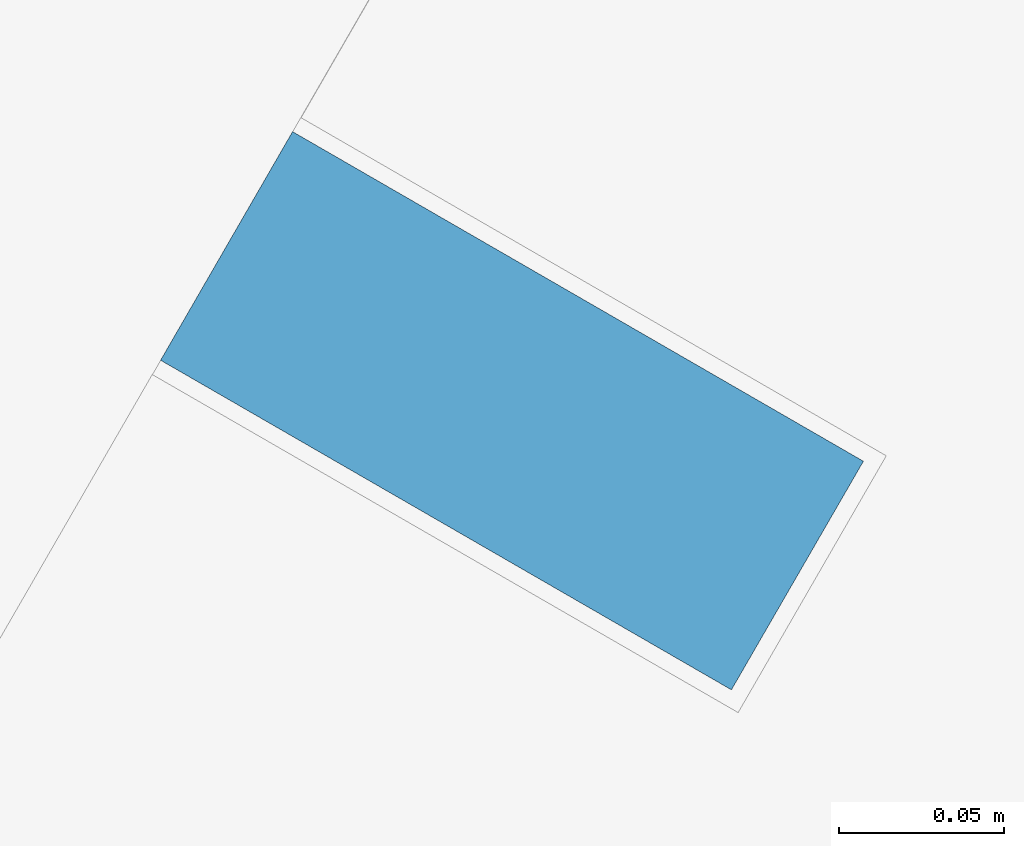
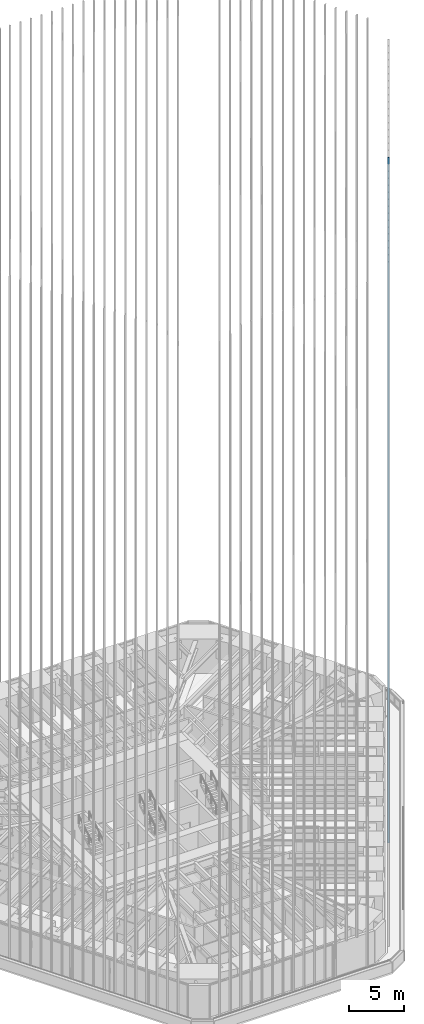
# One storey, part 93 of 238: 1 member, 1 element without a shape of its own.
"""IFC4 building model written with IfcOpenShell, lengths in metres."""

from ifc_helpers import new_model, si_unit, direction, frame, origin, origin_2d, place, context, subcontext, project, spatial, rectangle, extrude, material, material_profile, profile_set, type_object, element, aggregate, save


model = new_model("IFC4")

# Units and contexts
model_context = context("Model", 3, precision=1e-05, world=origin(), true_north=direction((0.0, 1.0)))
body_context = subcontext(model_context, "Body", "Model", "MODEL_VIEW")
ifc_project = project(units=[si_unit("LENGTHUNIT", "METRE"), si_unit("AREAUNIT", "SQUARE_METRE"), si_unit("VOLUMEUNIT", "CUBIC_METRE"), si_unit("PLANEANGLEUNIT", "RADIAN"), si_unit("MASSUNIT", "GRAM", prefix="KILO")], contexts=[model_context])

# Site, building, storey
site_placement = place(None, origin())
site = spatial("IfcSite", under=ifc_project, at=site_placement, CompositionType="ELEMENT")
building_placement = place(site_placement, origin())
building = spatial("IfcBuilding", under=site, at=building_placement, Name="Sandreach Pilgrim Tower", CompositionType="ELEMENT")
storey_placement = place(building_placement, frame((0.0, 0.0, 96.800048828125)))
storey = spatial("IfcBuildingStorey", under=building, at=storey_placement, Name="L23", CompositionType="ELEMENT", Elevation=96.800048828125)

# Curtain wall, member
ifc_material_1 = material(Name="Aluminium framed curtain wall", Category="aluminium")
curtain_wall_type = type_object("IfcCurtainWallType", Name="Hotel tower curtain wall", PredefinedType="NOTDEFINED", material=ifc_material_1)
curtain_wall_placement = place(storey_placement, origin())
curtain_wall = element("IfcCurtainWall", 1, at=curtain_wall_placement, inside=storey, type_object=curtain_wall_type, Name="CW-2 L23 SE", PredefinedType="NOTDEFINED")
ifc_material_2 = material(Name="Extruded terracotta on aluminium core", Category="masonry")
ifc_material_profile = material_profile(ifc_material_2, rectangle(XDim=0.080078125, YDim=0.199951171875, at=origin_2d()), Name="TBE 80X200")
ifc_profile_set = profile_set([ifc_material_profile], Name="Extruded terracotta on aluminium core")
member_type = type_object("IfcMemberType", Name="Terracotta baguette east", PredefinedType="USERDEFINED", material=ifc_profile_set)
member_placement = place(storey_placement, frame((19.276123046875, -12.400146484375, 0.0), z_axis=(0.0, 0.0, 1.0), x_axis=(-0.5, -0.866025403784, 0.0)))
member = element("IfcMember", 2, at=member_placement, type_object=member_type, Name="Baguette Z2 SE18", ObjectType="BAGUETTE", PredefinedType="USERDEFINED", context=body_context, shape_type="SweptSolid", body=[
    extrude(rectangle(XDim=0.080078125, YDim=0.199951171875, at=origin_2d()), origin(), (0.0, 0.0, 1.0), 75.83984375),
])
aggregate(curtain_wall, [member])

save(model, "model.ifc")
